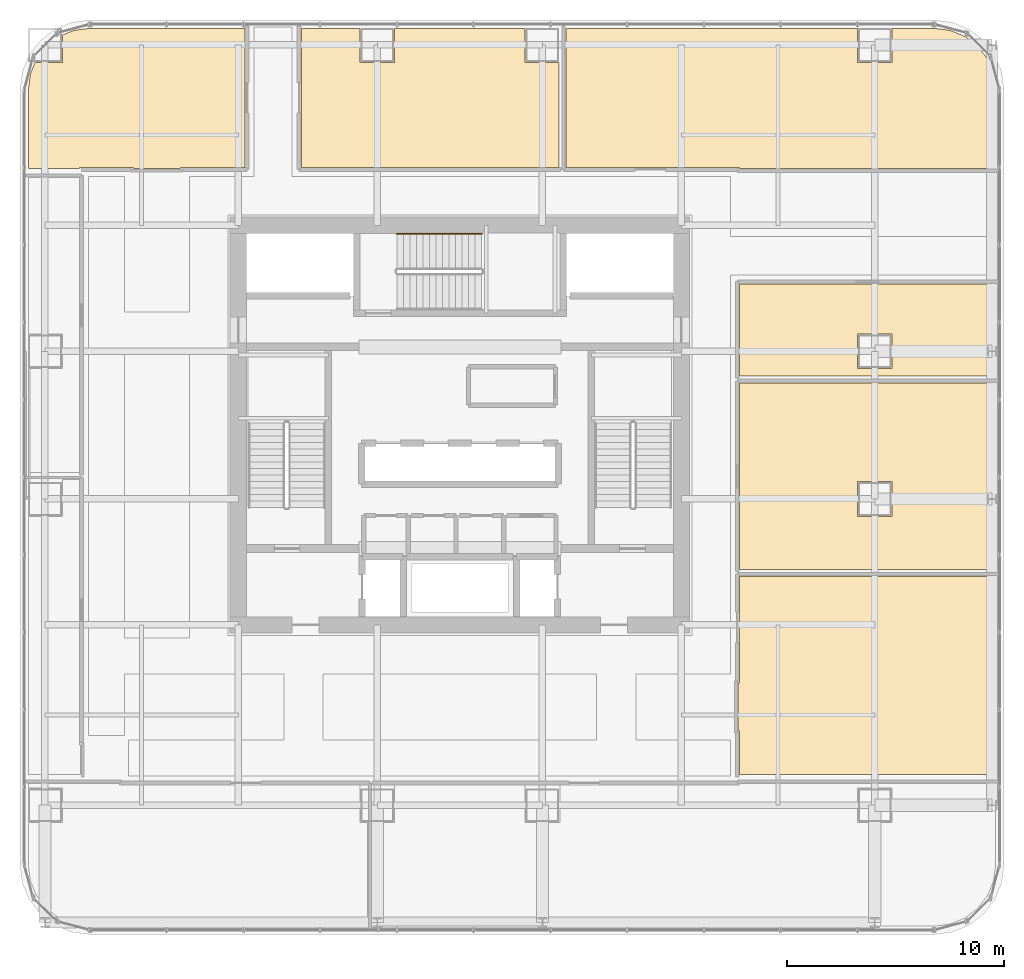
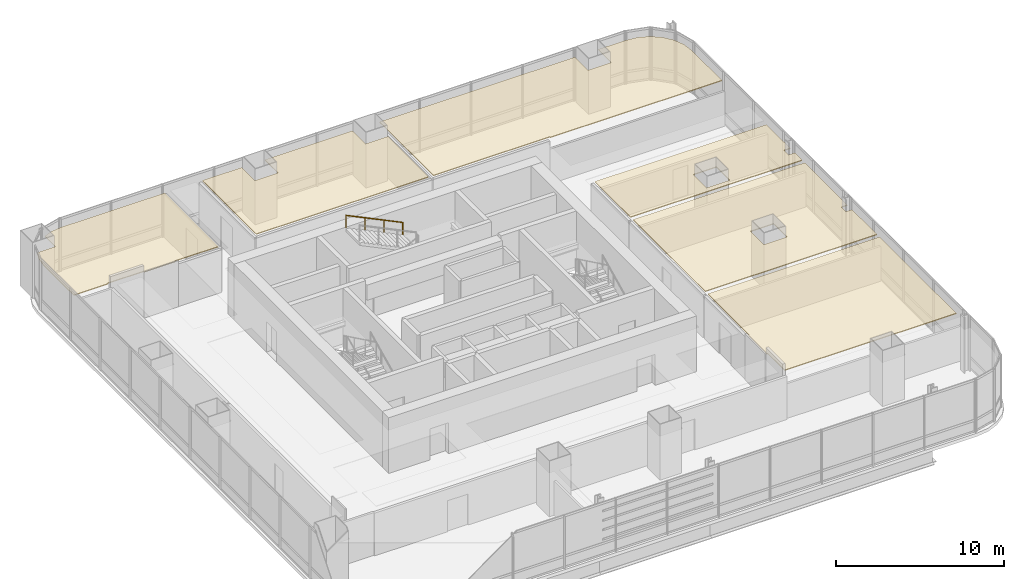
# One storey, part 35 of 35: 6 coverings, 1 railing.
"""IFC4 building model written with IfcOpenShell, lengths in metres."""

import ifcopenshell
import ifcopenshell.guid

model = None  # the IFC model being written
_history = None  # IfcOwnerHistory: only IFC2X3 demands one
_inside = {}  # id of a spatial element -> (the spatial element, [elements in it])
_under = {}  # id of a project, library or spatial element -> (it, [spatial elements below it])
_declared = {}  # id of a project -> (the project, [libraries it declares])
_typed = {}  # id of a type object -> (the type object, [elements of that type])
_made_of = {}  # id of a material, layer set ... -> (it, [elements and type objects made of it])


def new_model(schema):
    """Start an empty IFC model of exactly this schema.

    Asked for "IFC4X3", IfcOpenShell would pick the latest addendum, in which some entities
    have other attributes; the version numbers below select the first issue.
    IFC2X3 requires an IfcOwnerHistory on every rooted entity: one is made here for all.
    """
    global model, _history
    if schema == "IFC4X3":
        model = ifcopenshell.file(schema_version=(4, 3, 0, 0))
    else:
        model = ifcopenshell.file(schema=schema)
    _inside.clear()
    _under.clear()
    _declared.clear()
    _typed.clear()
    _made_of.clear()
    _history = None
    if model.schema == "IFC2X3":
        org = make("IfcOrganization", Name="unknown")
        user = make(
            "IfcPersonAndOrganization",
            ThePerson=make("IfcPerson", FamilyName="unknown"),
            TheOrganization=org,
        )
        app = make(
            "IfcApplication",
            ApplicationDeveloper=org,
            Version="unknown",
            ApplicationFullName="unknown",
            ApplicationIdentifier="unknown",
        )
        _history = make(
            "IfcOwnerHistory",
            OwningUser=user,
            OwningApplication=app,
            ChangeAction="ADDED",
            CreationDate=0,
        )
    return model


def make(cls, **values):
    """One entity of the class cls with the attributes given. An attribute that is None is left unset."""
    return model.create_entity(
        cls, **{name: value for name, value in values.items() if value is not None}
    )


def rooted(cls, **values):
    """An entity with a GlobalId (a new one), such as an element, a storey or a relation."""
    return make(cls, GlobalId=ifcopenshell.guid.new(), OwnerHistory=_history, **values)


def si_unit(unit_type, name, prefix=None):
    """IfcSIUnit, for example si_unit("LENGTHUNIT", "METRE", prefix="MILLI")."""
    return make("IfcSIUnit", UnitType=unit_type, Prefix=prefix, Name=name)


def assignment(units):
    """IfcUnitAssignment: the units of a project."""
    return None if units is None else make("IfcUnitAssignment", Units=units)


def point(xyz):
    """IfcCartesianPoint."""
    return None if xyz is None else make("IfcCartesianPoint", Coordinates=xyz)


def direction(xyz):
    """IfcDirection."""
    return None if xyz is None else make("IfcDirection", DirectionRatios=xyz)


def frame(location, z_axis=None, x_axis=None):
    """IfcAxis2Placement3D, a coordinate frame: its origin and axes. An axis left out is left unset."""
    return make(
        "IfcAxis2Placement3D",
        Location=point(location),
        Axis=direction(z_axis),
        RefDirection=direction(x_axis),
    )


def frame_2d(location, x_axis=None):
    """IfcAxis2Placement2D, a coordinate frame in the plane: its origin and x axis."""
    return make(
        "IfcAxis2Placement2D", Location=point(location), RefDirection=direction(x_axis)
    )


def origin():
    """The frame at (0, 0, 0) with its axes left unset."""
    return frame((0.0, 0.0, 0.0))


def origin_2d():
    """The frame at (0, 0) in the plane with its x axis left unset."""
    return frame_2d((0.0, 0.0))


def place(relative_to, where):
    """IfcLocalPlacement: puts the frame where relative to a parent placement (None: the world)."""
    return make(
        "IfcLocalPlacement", PlacementRelTo=relative_to, RelativePlacement=where
    )


def context(
    kind, dimensions, precision=None, world=None, true_north=None, identifier=None
):
    """IfcGeometricRepresentationContext, for example the 3D "Model" context."""
    return make(
        "IfcGeometricRepresentationContext",
        ContextIdentifier=identifier,
        ContextType=kind,
        CoordinateSpaceDimension=dimensions,
        Precision=precision,
        WorldCoordinateSystem=world,
        TrueNorth=true_north,
    )


def subcontext(parent, identifier, kind, view, scale=None):
    """IfcGeometricRepresentationSubContext, for example "Body" below "Model"."""
    return make(
        "IfcGeometricRepresentationSubContext",
        ContextIdentifier=identifier,
        ContextType=kind,
        ParentContext=parent,
        TargetScale=scale,
        TargetView=view,
    )


def project(units=None, contexts=None):
    """IfcProject with its units and contexts."""
    return rooted(
        "IfcProject",
        Name="project",
        RepresentationContexts=contexts,
        UnitsInContext=assignment(units),
    )


def spatial(cls, under=None, at=None, **own):
    """A site, building, storey or space (cls), placed at a placement, below another one or the project."""
    s = rooted(cls, ObjectPlacement=at, **own)
    if under is not None:
        _under.setdefault(under.id(), (under, []))[1].append(s)
    return s


def polyline(points):
    """IfcPolyline through the points."""
    return make("IfcPolyline", Points=[point(p) for p in points])


def profile(cls, at=None, kind="AREA", **sizes):
    """A parametric profile (cls). Its sizes go by their IFC names, for example OverallWidth=200.0."""
    return make(cls, ProfileType=kind, Position=at, **sizes)


def circle(**sizes):
    """IfcCircleProfileDef."""
    return profile("IfcCircleProfileDef", **sizes)


def outline(outer, holes=None, kind="AREA"):
    """IfcArbitraryClosedProfileDef: a profile drawn as a closed curve; with holes, ...WithVoids."""
    if holes is None:
        return make("IfcArbitraryClosedProfileDef", ProfileType=kind, OuterCurve=outer)
    return make(
        "IfcArbitraryProfileDefWithVoids",
        ProfileType=kind,
        OuterCurve=outer,
        InnerCurves=holes,
    )


def extrude(swept, where, along, depth):
    """IfcExtrudedAreaSolid: the profile swept, set in the frame where, extruded along a direction by depth."""
    return make(
        "IfcExtrudedAreaSolid",
        SweptArea=swept,
        Position=where,
        ExtrudedDirection=direction(along),
        Depth=depth,
    )


def shape(context_of_items, identifier, shape_type, items):
    """IfcShapeRepresentation: the items that make up one representation, for example the "Body"."""
    return make(
        "IfcShapeRepresentation",
        ContextOfItems=context_of_items,
        RepresentationIdentifier=identifier,
        RepresentationType=shape_type,
        Items=items,
    )


def material(Name=None, Category=None):
    """IfcMaterial."""
    return make("IfcMaterial", Name=Name, Category=Category)


def layer(
    of_material, thickness, ventilated=None, Name=None, Category=None, Priority=None
):
    """IfcMaterialLayer: one layer of a wall or slab, of a material (None: an air gap)."""
    return make(
        "IfcMaterialLayer",
        Material=of_material,
        LayerThickness=thickness,
        IsVentilated=ventilated,
        Name=Name,
        Category=Category,
        Priority=Priority,
    )


def layer_set(layers, Name=None):
    """IfcMaterialLayerSet."""
    return make("IfcMaterialLayerSet", MaterialLayers=layers, LayerSetName=Name)


def made_of(thing, what):
    """Note that an element or type object is made of a material, layer set ...; save() writes the relation."""
    if what is not None:
        _made_of.setdefault(what.id(), (what, []))[1].append(thing)
    return thing


def type_object(cls, material=None, **own):
    """A type object (cls), such as IfcWallType, which elements share."""
    return made_of(rooted(cls, **own), material)


def element(
    cls,
    number,
    at=None,
    inside=None,
    cuts=None,
    type_object=None,
    material=None,
    context=None,
    identifier="Body",
    shape_type=None,
    held_by="IfcProductDefinitionShape",
    body=None,
    shapes=None,
    **own,
):
    """One element of the class cls, such as IfcWall. Its Tag is "e" and its number.

    at: its placement. inside: the storey or other place that contains it. cuts: it is an
    opening in that element (IfcRelVoidsElement). A single representation is given by context,
    identifier, shape_type and body (its items); several are given by shapes. held_by: the class
    of the entity that holds the representations. save() writes the other relations.
    """
    e = rooted(cls, Tag="e%d" % number, ObjectPlacement=at, **own)
    if body is not None:
        shapes = [shape(context, identifier, shape_type, body)]
    if shapes is not None:
        e.Representation = make(held_by, Representations=shapes)
    if inside is not None:
        _inside.setdefault(inside.id(), (inside, []))[1].append(e)
    if cuts is not None:
        rooted(
            "IfcRelVoidsElement", RelatingBuildingElement=cuts, RelatedOpeningElement=e
        )
    if type_object is not None:
        _typed.setdefault(type_object.id(), (type_object, []))[1].append(e)
    return made_of(e, material)


def aggregate(whole, parts):
    """IfcRelAggregates: a whole, such as a stair, and the parts it consists of."""
    return rooted("IfcRelAggregates", RelatingObject=whole, RelatedObjects=parts)


def save(model, path):
    """Write the relations noted so far, then the file.

    IfcRelAggregates (storeys below a building ...), IfcRelContainedInSpatialStructure (elements
    in a storey), IfcRelDefinesByType, IfcRelAssociatesMaterial and IfcRelDeclares: one each for
    every whole, place, type object, material and project.
    """
    for whole, parts in _under.values():
        aggregate(whole, parts)
    for where, things in _inside.values():
        rooted(
            "IfcRelContainedInSpatialStructure",
            RelatedElements=things,
            RelatingStructure=where,
        )
    for kind, things in _typed.values():
        rooted("IfcRelDefinesByType", RelatedObjects=things, RelatingType=kind)
    for what, things in _made_of.values():
        rooted("IfcRelAssociatesMaterial", RelatedObjects=things, RelatingMaterial=what)
    for by, libraries in _declared.values():
        rooted("IfcRelDeclares", RelatingContext=by, RelatedDefinitions=libraries)
    model.write(path)


model = new_model("IFC4")

# Units and contexts
model_context = context("Model", 3, precision=1e-05, world=origin(), true_north=direction((0.0, 1.0)))
body_context = subcontext(model_context, "Body", "Model", "MODEL_VIEW")
ifc_project = project(units=[si_unit("LENGTHUNIT", "METRE"), si_unit("AREAUNIT", "SQUARE_METRE"), si_unit("VOLUMEUNIT", "CUBIC_METRE"), si_unit("PLANEANGLEUNIT", "RADIAN"), si_unit("MASSUNIT", "GRAM", prefix="KILO")], contexts=[model_context])

# Site, building, storey
site_placement = place(None, origin())
site = spatial("IfcSite", under=ifc_project, at=site_placement, CompositionType="ELEMENT")
building_placement = place(site_placement, origin())
building = spatial("IfcBuilding", under=site, at=building_placement, Name="Punatoya Terracotta Tower", CompositionType="ELEMENT")
storey_placement = place(building_placement, frame((0.0, 0.0, 72.75)))
storey = spatial("IfcBuildingStorey", under=building, at=storey_placement, Name="L16", CompositionType="ELEMENT", Elevation=72.75)

# Coverings
ifc_material_1 = material(Name="Acoustic Mineral Fibre Ceiling")
ifc_layer = layer(ifc_material_1, 0.06005859375)
ifc_layer_set = layer_set([ifc_layer], Name="Acoustic Mineral Fibre Ceiling")
covering_type = type_object("IfcCoveringType", Name="COV-CEIL-60", PredefinedType="CEILING", material=ifc_layer_set)
covering_1_placement = place(storey_placement, frame((0.0, 0.0, 3.199951171875)))
element("IfcCovering", 1, at=covering_1_placement, inside=storey, type_object=covering_type, Name="L16 Collaborative Workshop Room Acoustic Ceiling", PredefinedType="CEILING", context=body_context, shape_type="SweptSolid", body=[
    extrude(outline(polyline([(12.81005859375, -14.080078125), (12.8701171875, -14.080078125), (12.8701171875, -16.090087890625), (24.669921875, -16.090087890625), (24.669921875, -6.9580078125), (12.8701171875, -6.9580078125), (12.8701171875, -11.8701171875), (12.81005859375, -11.8701171875), (12.81005859375, -14.080078125)])), origin(), (0.0, 0.0, 1.0), 0.06005859375),
])
covering_2_placement = place(storey_placement, frame((0.0, 0.0, 3.199951171875)))
element("IfcCovering", 2, at=covering_2_placement, inside=storey, type_object=covering_type, Name="L16 Open-Plan Breakout Tea Pantry Acoustic Ceiling", PredefinedType="CEILING", context=body_context, shape_type="SweptSolid", body=[
    extrude(outline(polyline([(24.241943359375, -3.673095703125), (24.241943359375, -3.126953125), (24.669921875, -3.126953125), (24.669921875, 1.93798828125), (12.8701171875, 1.93798828125), (12.8701171875, -6.637939453125), (24.669921875, -6.637939453125), (24.669921875, -3.673095703125), (24.241943359375, -3.673095703125)]), holes=[polyline([(18.300048828125, -4.199951171875), (18.300048828125, -2.60009765625), (19.89990234375, -2.60009765625), (19.89990234375, -4.199951171875), (18.300048828125, -4.199951171875)])]), origin(), (0.0, 0.0, 1.0), 0.06005859375),
])
covering_3_placement = place(storey_placement, frame((0.0, 0.0, 3.199951171875)))
element("IfcCovering", 3, at=covering_3_placement, inside=storey, type_object=covering_type, Name="L16 Open-Plan Delegate Reception Lounge Acoustic Ceiling", PredefinedType="CEILING", context=body_context, shape_type="SweptSolid", body=[
    extrude(outline(polyline([(12.8701171875, 6.5), (12.8701171875, 2.258056640625), (24.669921875, 2.258056640625), (24.669921875, 3.126953125), (24.241943359375, 3.126953125), (24.241943359375, 3.673095703125), (24.669921875, 3.673095703125), (24.669921875, 6.5), (12.8701171875, 6.5)]), holes=[polyline([(18.300048828125, 4.199951171875), (19.89990234375, 4.199951171875), (19.89990234375, 2.60009765625), (18.300048828125, 2.60009765625), (18.300048828125, 4.199951171875)])]), origin(), (0.0, 0.0, 1.0), 0.06005859375),
])
covering_4_placement = place(storey_placement, frame((0.0, 0.0, 3.199951171875)))
element("IfcCovering", 4, at=covering_4_placement, inside=storey, type_object=covering_type, Name="L16 Open-Plan Case-Study Classroom Acoustic Ceiling", PredefinedType="CEILING", context=body_context, shape_type="SweptSolid", body=[
    extrude(outline(polyline([(-17.779052734375, 18.1708984375), (-18.300048828125, 17.955078125), (-18.300048828125, 16.699951171875), (-19.554931640625, 16.699951171875), (-19.770751953125, 16.178955078125), (-19.8701171875, 15.425048828125), (-19.8701171875, 11.81005859375), (-17.52001953125, 11.81005859375), (-17.52001953125, 11.8701171875), (-15.030029296875, 11.8701171875), (-15.030029296875, 11.81005859375), (-12.8701171875, 11.81005859375), (-12.8701171875, 11.8701171875), (-9.89990234375, 11.8701171875), (-9.89990234375, 18.27001953125), (-17.025146484375, 18.27001953125), (-17.779052734375, 18.1708984375)])), origin(), (0.0, 0.0, 1.0), 0.06005859375),
])
covering_5_placement = place(storey_placement, frame((0.0, 0.0, 3.199951171875)))
element("IfcCovering", 5, at=covering_5_placement, inside=storey, type_object=covering_type, Name="L16 Open-Plan Symposium Colloquium Room Acoustic Ceiling", PredefinedType="CEILING", context=body_context, shape_type="SweptSolid", body=[
    extrude(outline(polyline([(12.8701171875, 11.81005859375), (24.669921875, 11.81005859375), (24.669921875, 15.425048828125), (24.57080078125, 16.178955078125), (24.289306640625, 16.8583984375), (23.841796875, 17.441650390625), (23.25830078125, 17.889404296875), (22.5791015625, 18.1708984375), (21.8251953125, 18.27001953125), (19.89990234375, 18.27001953125), (19.89990234375, 16.699951171875), (18.300048828125, 16.699951171875), (18.300048828125, 18.27001953125), (4.875, 18.27001953125), (4.875, 11.8701171875), (12.8701171875, 11.8701171875), (12.8701171875, 11.81005859375)])), origin(), (0.0, 0.0, 1.0), 0.06005859375),
])
covering_6_placement = place(storey_placement, frame((0.0, 0.0, 3.199951171875)))
element("IfcCovering", 6, at=covering_6_placement, inside=storey, type_object=covering_type, Name="L16 Open-Plan Roundtable Conference Room Acoustic Ceiling", PredefinedType="CEILING", context=body_context, shape_type="SweptSolid", body=[
    extrude(outline(polyline([(-4.60009765625, 18.27001953125), (-7.300048828125, 18.27001953125), (-7.300048828125, 11.8701171875), (4.554931640625, 11.8701171875), (4.554931640625, 16.699951171875), (3.0, 16.699951171875), (3.0, 18.27001953125), (-3.0, 18.27001953125), (-3.0, 16.699951171875), (-4.60009765625, 16.699951171875), (-4.60009765625, 18.27001953125)])), origin(), (0.0, 0.0, 1.0), 0.06005859375),
])

# Railing
ifc_material_2 = material(Name="Steel S355", Category="steel")
railing_type = type_object("IfcRailingType", Name="RLG-HND-900", PredefinedType="HANDRAIL", material=ifc_material_2)
railing_placement = place(storey_placement, frame((1.0, 8.800048828125, 2.169677734375)))
element("IfcRailing", 7, at=railing_placement, inside=storey, type_object=railing_type, Name="L16 ST-3 stair handrail 2", PredefinedType="HANDRAIL", context=body_context, shape_type="SweptSolid", body=[
    extrude(circle(Radius=0.02392578125, at=origin_2d()), frame((0.0, 0.0, 0.8759765625), z_axis=(-0.900763166376, 0.0, 0.434310623978), x_axis=(0.0, -1.0, 0.0)), (0.0, 0.0, 1.0), 4.32958984375),
    extrude(circle(Radius=0.02099609375, at=origin_2d()), origin(), (0.0, 0.0, 1.0), 0.851806640625),
    extrude(circle(Radius=0.02099609375, at=origin_2d()), frame((-1.300048828125, 0.0, 0.626708984375)), (0.0, 0.0, 1.0), 0.851806640625),
    extrude(circle(Radius=0.02099609375, at=origin_2d()), frame((-2.599853515625, 0.0, 1.253662109375)), (0.0, 0.0, 1.0), 0.851806640625),
    extrude(circle(Radius=0.02099609375, at=origin_2d()), frame((-3.89990234375, 0.0, 1.88037109375)), (0.0, 0.0, 1.0), 0.851806640625),
])

save(model, "model.ifc")
